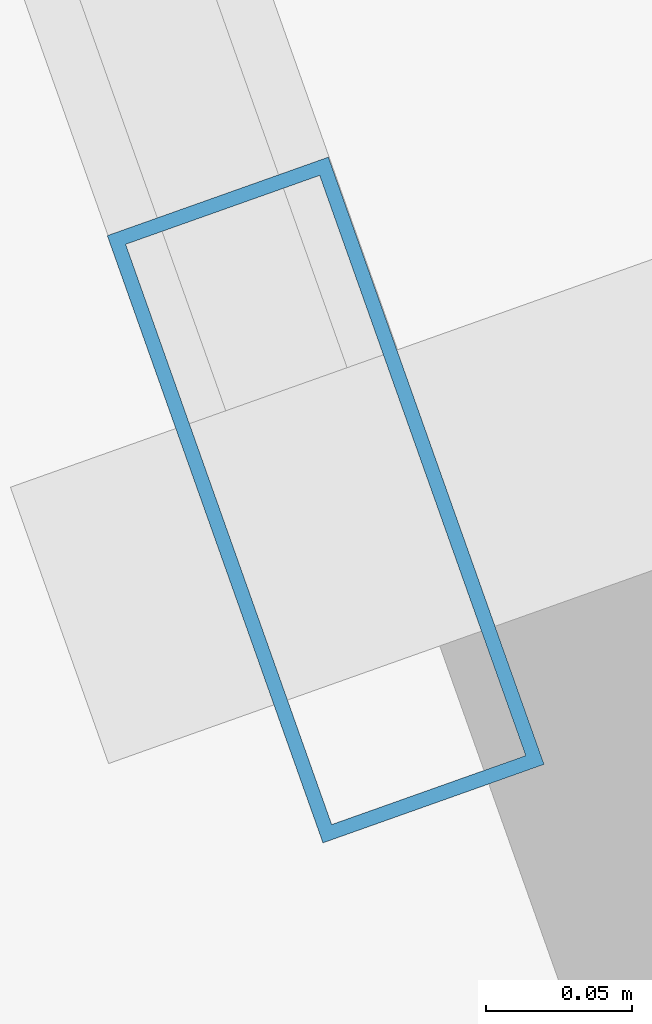
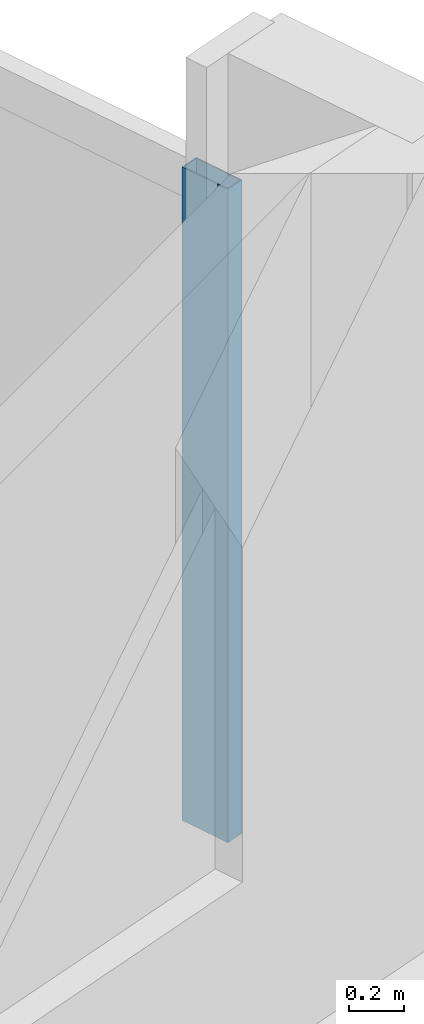
# One storey, part 12 of 33: 1 member, 1 element without a shape of its own.
"""IFC4 building model written with IfcOpenShell, lengths in metres."""

from ifc_helpers import new_model, si_unit, direction, frame, origin, origin_2d, place, context, subcontext, project, spatial, hollow_rectangle, extrude, material, material_profile, profile_set, type_object, element, aggregate, save


model = new_model("IFC4")

# Units and contexts
model_context = context("Model", 3, precision=1e-05, world=origin(), true_north=direction((0.0, 1.0)))
body_context = subcontext(model_context, "Body", "Model", "MODEL_VIEW")
ifc_project = project(units=[si_unit("LENGTHUNIT", "METRE"), si_unit("AREAUNIT", "SQUARE_METRE"), si_unit("VOLUMEUNIT", "CUBIC_METRE"), si_unit("PLANEANGLEUNIT", "RADIAN"), si_unit("MASSUNIT", "GRAM", prefix="KILO")], contexts=[model_context])

# Site, building, storey
site_placement = place(None, origin())
site = spatial("IfcSite", under=ifc_project, at=site_placement, CompositionType="ELEMENT")
building_placement = place(site_placement, origin())
building = spatial("IfcBuilding", under=site, at=building_placement, Name="Haldenkirk Collegiate Tower", CompositionType="ELEMENT")
storey_placement = place(building_placement, frame((0.0, 0.0, 94.199951171875)))
storey = spatial("IfcBuildingStorey", under=building, at=storey_placement, Name="L22", CompositionType="ELEMENT", Elevation=94.199951171875)

# Curtain wall, member
ifc_material = material(Name="Anodised architectural bronze aluminium", Category="aluminium")
curtain_wall_type = type_object("IfcCurtainWallType", Name="CW-SYS1-CONVEX-LOW", PredefinedType="USERDEFINED", material=ifc_material)
curtain_wall_placement = place(storey_placement, origin())
curtain_wall = element("IfcCurtainWall", 1, at=curtain_wall_placement, inside=storey, type_object=curtain_wall_type, Name="L22 Lower tower convex bronze-framed unitised curtain wall", ObjectType="UNITISED CURTAIN WALL", PredefinedType="USERDEFINED")
ifc_material_profile = material_profile(ifc_material, hollow_rectangle(XDim=0.080078125, YDim=0.219970703125, WallThickness=0.0048828125, at=origin_2d()), Name="CW-MUL-1A")
ifc_profile_set = profile_set([ifc_material_profile], Name="Anodised architectural bronze aluminium")
member_type = type_object("IfcMemberType", Name="CW-MUL-1A", PredefinedType="MULLION", material=ifc_profile_set)
member_placement = place(storey_placement, frame((66.9375, 16.33544921875, 0.0), z_axis=(0.0, 0.0, 1.0), x_axis=(0.942349846687, 0.334629297058, 0.0)))
member = element("IfcMember", 2, at=member_placement, type_object=member_type, Name="CW-1A mullion 5", PredefinedType="MULLION", context=body_context, shape_type="SweptSolid", body=[
    extrude(hollow_rectangle(XDim=0.080078125, YDim=0.219970703125, WallThickness=0.0048828125, at=origin_2d()), origin(), (0.0, 0.0, 1.0), 2.901123046875),
])
aggregate(curtain_wall, [member])

save(model, "model.ifc")
